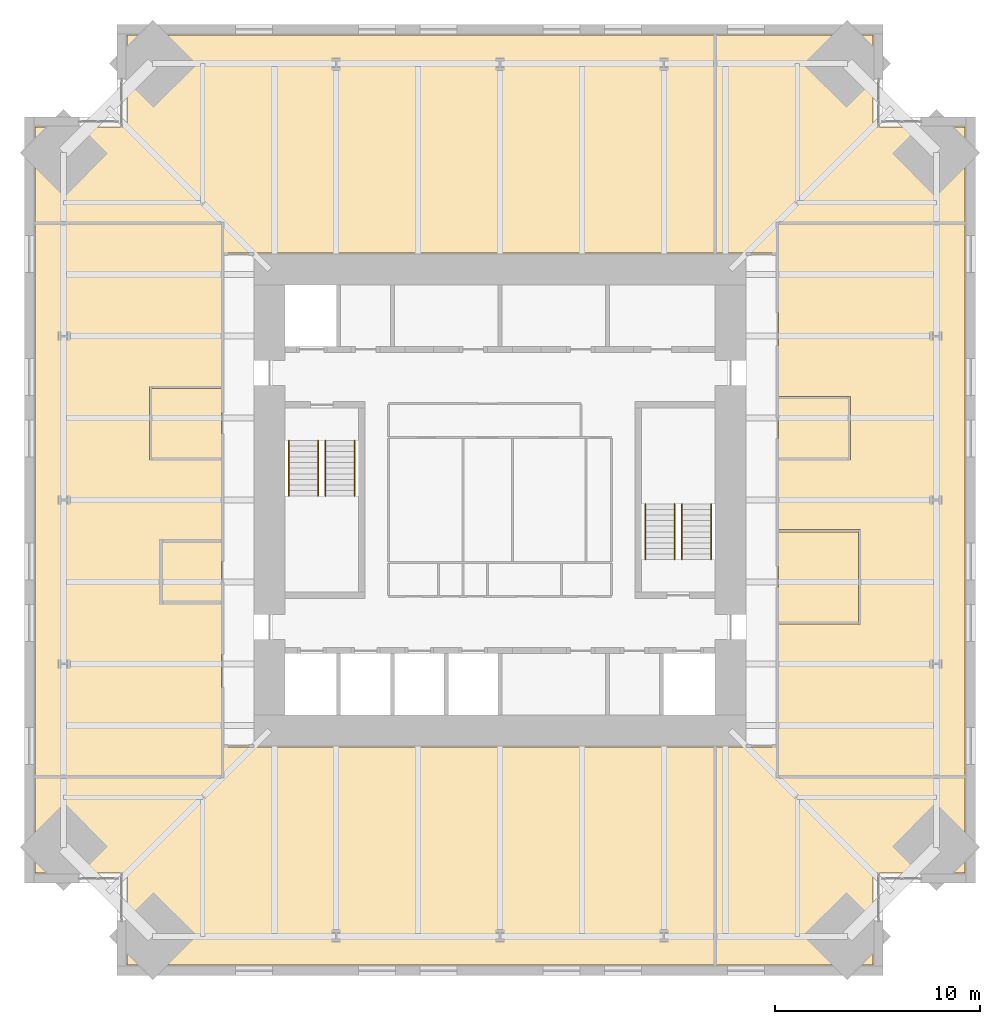
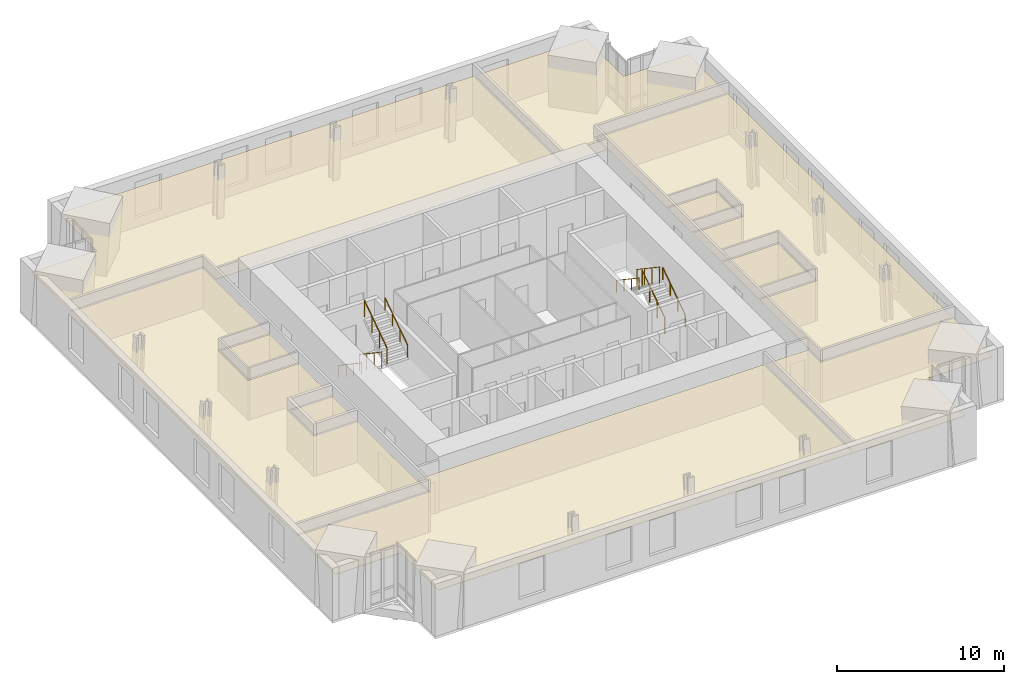
# One storey, part 15 of 15: 10 coverings, 8 railings.
"""IFC4 building model written with IfcOpenShell, lengths in metres."""

from ifc_helpers import new_model, si_unit, direction, frame, origin, origin_2d, place, context, subcontext, project, spatial, polyline, circle, outline, extrude, material, layer, layer_set, type_object, element, save


model = new_model("IFC4")

# Units and contexts
model_context = context("Model", 3, precision=1e-05, world=origin(), true_north=direction((0.0, 1.0)))
body_context = subcontext(model_context, "Body", "Model", "MODEL_VIEW")
ifc_project = project(units=[si_unit("LENGTHUNIT", "METRE"), si_unit("AREAUNIT", "SQUARE_METRE"), si_unit("VOLUMEUNIT", "CUBIC_METRE"), si_unit("PLANEANGLEUNIT", "RADIAN"), si_unit("MASSUNIT", "GRAM", prefix="KILO")], contexts=[model_context])

# Site, building, storey
site_placement = place(None, origin())
site = spatial("IfcSite", under=ifc_project, at=site_placement, CompositionType="ELEMENT")
building_placement = place(site_placement, origin())
building = spatial("IfcBuilding", under=site, at=building_placement, Name="Peilmerk Tower", CompositionType="ELEMENT")
storey_placement = place(building_placement, frame((0.0, 0.0, 237.800048828125)))
storey = spatial("IfcBuildingStorey", under=building, at=storey_placement, Name="L52", CompositionType="ELEMENT", Elevation=237.800048828125)

# Coverings
ifc_material_1 = material(Name="Mineral fibre ceiling tiles", Category="mineral")
ifc_layer = layer(ifc_material_1, 0.02490234375)
ifc_layer_set = layer_set([ifc_layer], Name="Mineral fibre ceiling tiles")
covering_type = type_object("IfcCoveringType", Name="CL1 25 suspended ceiling", PredefinedType="CEILING", material=ifc_layer_set)
covering_1_placement = place(storey_placement, frame((0.0, 0.0, 2.905029296875)))
element("IfcCovering", 1, at=covering_1_placement, inside=storey, type_object=covering_type, Name="Suspended ceiling Project room", PredefinedType="CEILING", context=body_context, shape_type="SweptSolid", body=[
    extrude(outline(polyline([(-22.699951171875, 18.199951171875), (-22.699951171875, 13.550048828125), (-13.5, 13.550048828125), (-13.5, 12.050048828125), (10.449951171875, 12.050048828125), (10.449951171875, 22.699951171875), (-18.199951171875, 22.699951171875), (-18.199951171875, 18.199951171875), (-22.699951171875, 18.199951171875)])), origin(), (0.0, 0.0, 1.0), 0.02490234375),
])
covering_2_placement = place(storey_placement, frame((0.0, 0.0, 2.905029296875)))
element("IfcCovering", 2, at=covering_2_placement, inside=storey, type_object=covering_type, Name="Suspended ceiling Open workspace", PredefinedType="CEILING", context=body_context, shape_type="SweptSolid", body=[
    extrude(outline(polyline([(18.199951171875, 22.699951171875), (10.550048828125, 22.699951171875), (10.550048828125, 12.050048828125), (13.5, 12.050048828125), (13.5, 13.550048828125), (22.699951171875, 13.550048828125), (22.699951171875, 18.199951171875), (18.199951171875, 18.199951171875), (18.199951171875, 22.699951171875)])), origin(), (0.0, 0.0, 1.0), 0.02490234375),
])
covering_3_placement = place(storey_placement, frame((0.0, 0.0, 2.905029296875)))
element("IfcCovering", 3, at=covering_3_placement, inside=storey, type_object=covering_type, Name="Suspended ceiling Open workspace", PredefinedType="CEILING", context=body_context, shape_type="SweptSolid", body=[
    extrude(outline(polyline([(-18.199951171875, -22.699951171875), (10.449951171875, -22.699951171875), (10.449951171875, -12.050048828125), (-13.5, -12.050048828125), (-13.5, -13.550048828125), (-22.699951171875, -13.550048828125), (-22.699951171875, -18.199951171875), (-18.199951171875, -18.199951171875), (-18.199951171875, -22.699951171875)])), origin(), (0.0, 0.0, 1.0), 0.02490234375),
])
covering_4_placement = place(storey_placement, frame((0.0, 0.0, 2.905029296875)))
element("IfcCovering", 4, at=covering_4_placement, inside=storey, type_object=covering_type, Name="Suspended ceiling Project room", PredefinedType="CEILING", context=body_context, shape_type="SweptSolid", body=[
    extrude(outline(polyline([(10.550048828125, -22.699951171875), (18.199951171875, -22.699951171875), (18.199951171875, -18.199951171875), (22.699951171875, -18.199951171875), (22.699951171875, -13.550048828125), (13.5, -13.550048828125), (13.5, -12.050048828125), (10.550048828125, -12.050048828125), (10.550048828125, -22.699951171875)])), origin(), (0.0, 0.0, 1.0), 0.02490234375),
])
covering_5_placement = place(storey_placement, frame((0.0, 0.0, 2.905029296875)))
element("IfcCovering", 5, at=covering_5_placement, inside=storey, type_object=covering_type, Name="Suspended ceiling Open workspace", PredefinedType="CEILING", context=body_context, shape_type="SweptSolid", body=[
    extrude(outline(polyline([(13.60009765625, -13.449951171875), (22.699951171875, -13.449951171875), (22.699951171875, 13.449951171875), (13.60009765625, 13.449951171875), (13.60009765625, 5.050048828125), (17.10009765625, 5.050048828125), (17.10009765625, 1.949951171875), (13.60009765625, 1.949951171875), (13.60009765625, -1.449951171875), (17.60009765625, -1.449951171875), (17.60009765625, -6.050048828125), (13.60009765625, -6.050048828125), (13.60009765625, -13.449951171875)])), origin(), (0.0, 0.0, 1.0), 0.02490234375),
])
covering_6_placement = place(storey_placement, frame((0.0, 0.0, 2.905029296875)))
element("IfcCovering", 6, at=covering_6_placement, inside=storey, type_object=covering_type, Name="Suspended ceiling Meeting room", PredefinedType="CEILING", context=body_context, shape_type="SweptSolid", body=[
    extrude(outline(polyline([(17.5, -5.949951171875), (17.5, -1.550048828125), (13.60009765625, -1.550048828125), (13.60009765625, -5.949951171875), (17.5, -5.949951171875)])), origin(), (0.0, 0.0, 1.0), 0.02490234375),
])
covering_7_placement = place(storey_placement, frame((0.0, 0.0, 2.905029296875)))
element("IfcCovering", 7, at=covering_7_placement, inside=storey, type_object=covering_type, Name="Suspended ceiling Focus room", PredefinedType="CEILING", context=body_context, shape_type="SweptSolid", body=[
    extrude(outline(polyline([(17.0, 2.050048828125), (17.0, 4.949951171875), (13.60009765625, 4.949951171875), (13.60009765625, 2.050048828125), (17.0, 2.050048828125)])), origin(), (0.0, 0.0, 1.0), 0.02490234375),
])
covering_8_placement = place(storey_placement, frame((0.0, 0.0, 2.905029296875)))
element("IfcCovering", 8, at=covering_8_placement, inside=storey, type_object=covering_type, Name="Suspended ceiling Open workspace", PredefinedType="CEILING", context=body_context, shape_type="SweptSolid", body=[
    extrude(outline(polyline([(-13.60009765625, 13.449951171875), (-22.699951171875, 13.449951171875), (-22.699951171875, -13.449951171875), (-13.60009765625, -13.449951171875), (-13.60009765625, -5.050048828125), (-16.60009765625, -5.050048828125), (-16.60009765625, -1.949951171875), (-13.60009765625, -1.949951171875), (-13.60009765625, 1.949951171875), (-17.10009765625, 1.949951171875), (-17.10009765625, 5.550048828125), (-13.60009765625, 5.550048828125), (-13.60009765625, 13.449951171875)])), origin(), (0.0, 0.0, 1.0), 0.02490234375),
])
covering_9_placement = place(storey_placement, frame((0.0, 0.0, 2.905029296875)))
element("IfcCovering", 9, at=covering_9_placement, inside=storey, type_object=covering_type, Name="Suspended ceiling Print room", PredefinedType="CEILING", context=body_context, shape_type="SweptSolid", body=[
    extrude(outline(polyline([(-13.60009765625, -4.949951171875), (-13.60009765625, -2.050048828125), (-16.5, -2.050048828125), (-16.5, -4.949951171875), (-13.60009765625, -4.949951171875)])), origin(), (0.0, 0.0, 1.0), 0.02490234375),
])
covering_10_placement = place(storey_placement, frame((0.0, 0.0, 2.905029296875)))
element("IfcCovering", 10, at=covering_10_placement, inside=storey, type_object=covering_type, Name="Suspended ceiling Pantry", PredefinedType="CEILING", context=body_context, shape_type="SweptSolid", body=[
    extrude(outline(polyline([(-13.60009765625, 2.050048828125), (-13.60009765625, 5.449951171875), (-17.0, 5.449951171875), (-17.0, 2.050048828125), (-13.60009765625, 2.050048828125)])), origin(), (0.0, 0.0, 1.0), 0.02490234375),
])

# Railings
ifc_material_2 = material(Name="Steel flat bar balustrade", Category="steel")
railing_type_1 = type_object("IfcRailingType", Name="GR1 1200 stair guard", PredefinedType="GUARDRAIL", material=ifc_material_2)
railing_1_placement = place(storey_placement, frame((-8.8798828125, 2.89990234375, 0.181884765625)))
element("IfcRailing", 11, at=railing_1_placement, inside=storey, type_object=railing_type_1, Name="Guard stair 1 L52", PredefinedType="GUARDRAIL", context=body_context, shape_type="SweptSolid", body=[
    extrude(circle(Radius=0.02392578125, at=origin_2d()), frame((0.0, 0.0, 1.17578125), z_axis=(0.0, -0.829468130872, 0.55855404382), x_axis=(1.0, 0.0, 0.0)), (0.0, 0.0, 1.0), 3.255126953125),
    extrude(circle(Radius=0.02099609375, at=origin_2d()), origin(), (0.0, 0.0, 1.0), 1.15185546875),
    extrude(circle(Radius=0.02099609375, at=origin_2d()), frame((0.0, -0.89990234375, 0.60595703125)), (0.0, 0.0, 1.0), 1.15185546875),
    extrude(circle(Radius=0.02099609375, at=origin_2d()), frame((0.0, -1.800048828125, 1.212158203125)), (0.0, 0.0, 1.0), 1.15185546875),
    extrude(circle(Radius=0.02099609375, at=origin_2d()), frame((0.0, -2.699951171875, 1.818115234375)), (0.0, 0.0, 1.0), 1.15185546875),
])
for number, where, name in (
    (12, (-8.52001953125, 0.199951171875, 2.181884765625), "Guard stair 1 L52"),
    (13, (8.8798828125, -2.89990234375, 0.181884765625), "Guard stair 2 L52"),
):
    element("IfcRailing", number, at=place(storey_placement, frame(where)), inside=storey, type_object=railing_type_1, Name=name, PredefinedType="GUARDRAIL", context=body_context, shape_type="SweptSolid", body=[
        extrude(circle(Radius=0.02392578125, at=origin_2d()), frame((0.0, 0.0, 1.17578125), z_axis=(0.0, 0.829468130872, 0.55855404382), x_axis=(-1.0, 0.0, 0.0)), (0.0, 0.0, 1.0), 3.255126953125),
        extrude(circle(Radius=0.02099609375, at=origin_2d()), origin(), (0.0, 0.0, 1.0), 1.15185546875),
        extrude(circle(Radius=0.02099609375, at=origin_2d()), frame((0.0, 0.89990234375, 0.60595703125)), (0.0, 0.0, 1.0), 1.15185546875),
        extrude(circle(Radius=0.02099609375, at=origin_2d()), frame((0.0, 1.800048828125, 1.212158203125)), (0.0, 0.0, 1.0), 1.15185546875),
        extrude(circle(Radius=0.02099609375, at=origin_2d()), frame((0.0, 2.699951171875, 1.818115234375)), (0.0, 0.0, 1.0), 1.15185546875),
    ])
railing_2_placement = place(storey_placement, frame((8.52001953125, -0.199951171875, 2.181884765625)))
element("IfcRailing", 14, at=railing_2_placement, inside=storey, type_object=railing_type_1, Name="Guard stair 2 L52", PredefinedType="GUARDRAIL", context=body_context, shape_type="SweptSolid", body=[
    extrude(circle(Radius=0.02392578125, at=origin_2d()), frame((0.0, 0.0, 1.17578125), z_axis=(0.0, -0.829468130872, 0.55855404382), x_axis=(1.0, 0.0, 0.0)), (0.0, 0.0, 1.0), 3.255126953125),
    extrude(circle(Radius=0.02099609375, at=origin_2d()), origin(), (0.0, 0.0, 1.0), 1.15185546875),
    extrude(circle(Radius=0.02099609375, at=origin_2d()), frame((0.0, -0.89990234375, 0.60595703125)), (0.0, 0.0, 1.0), 1.15185546875),
    extrude(circle(Radius=0.02099609375, at=origin_2d()), frame((0.0, -1.800048828125, 1.212158203125)), (0.0, 0.0, 1.0), 1.15185546875),
    extrude(circle(Radius=0.02099609375, at=origin_2d()), frame((0.0, -2.699951171875, 1.818115234375)), (0.0, 0.0, 1.0), 1.15185546875),
])
ifc_material_3 = material(Name="Stainless steel tube", Category="steel")
railing_type_2 = type_object("IfcRailingType", Name="HR1 900 stair handrail", PredefinedType="HANDRAIL", material=ifc_material_3)
railing_3_placement = place(storey_placement, frame((-10.300048828125, 2.89990234375, 0.181884765625)))
element("IfcRailing", 15, at=railing_3_placement, inside=storey, type_object=railing_type_2, Name="Handrail stair 1 L52", PredefinedType="HANDRAIL", context=body_context, shape_type="SweptSolid", body=[
    extrude(circle(Radius=0.02392578125, at=origin_2d()), frame((0.0, 0.0, 0.8759765625), z_axis=(0.0, -0.829468130872, 0.55855404382), x_axis=(1.0, 0.0, 0.0)), (0.0, 0.0, 1.0), 3.255126953125),
    extrude(circle(Radius=0.02099609375, at=origin_2d()), origin(), (0.0, 0.0, 1.0), 0.851806640625),
    extrude(circle(Radius=0.02099609375, at=origin_2d()), frame((0.0, -0.89990234375, 0.60595703125)), (0.0, 0.0, 1.0), 0.851806640625),
    extrude(circle(Radius=0.02099609375, at=origin_2d()), frame((0.0, -1.800048828125, 1.212158203125)), (0.0, 0.0, 1.0), 0.851806640625),
    extrude(circle(Radius=0.02099609375, at=origin_2d()), frame((0.0, -2.699951171875, 1.818115234375)), (0.0, 0.0, 1.0), 0.851806640625),
])
for number, where, name in (
    (16, (-7.10009765625, 0.199951171875, 2.181884765625), "Handrail stair 1 L52"),
    (17, (10.300048828125, -2.89990234375, 0.181884765625), "Handrail stair 2 L52"),
):
    element("IfcRailing", number, at=place(storey_placement, frame(where)), inside=storey, type_object=railing_type_2, Name=name, PredefinedType="HANDRAIL", context=body_context, shape_type="SweptSolid", body=[
        extrude(circle(Radius=0.02392578125, at=origin_2d()), frame((0.0, 0.0, 0.8759765625), z_axis=(0.0, 0.829468130872, 0.55855404382), x_axis=(-1.0, 0.0, 0.0)), (0.0, 0.0, 1.0), 3.255126953125),
        extrude(circle(Radius=0.02099609375, at=origin_2d()), origin(), (0.0, 0.0, 1.0), 0.851806640625),
        extrude(circle(Radius=0.02099609375, at=origin_2d()), frame((0.0, 0.89990234375, 0.60595703125)), (0.0, 0.0, 1.0), 0.851806640625),
        extrude(circle(Radius=0.02099609375, at=origin_2d()), frame((0.0, 1.800048828125, 1.212158203125)), (0.0, 0.0, 1.0), 0.851806640625),
        extrude(circle(Radius=0.02099609375, at=origin_2d()), frame((0.0, 2.699951171875, 1.818115234375)), (0.0, 0.0, 1.0), 0.851806640625),
    ])
railing_4_placement = place(storey_placement, frame((7.10009765625, -0.199951171875, 2.181884765625)))
element("IfcRailing", 18, at=railing_4_placement, inside=storey, type_object=railing_type_2, Name="Handrail stair 2 L52", PredefinedType="HANDRAIL", context=body_context, shape_type="SweptSolid", body=[
    extrude(circle(Radius=0.02392578125, at=origin_2d()), frame((0.0, 0.0, 0.8759765625), z_axis=(0.0, -0.829468130872, 0.55855404382), x_axis=(1.0, 0.0, 0.0)), (0.0, 0.0, 1.0), 3.255126953125),
    extrude(circle(Radius=0.02099609375, at=origin_2d()), origin(), (0.0, 0.0, 1.0), 0.851806640625),
    extrude(circle(Radius=0.02099609375, at=origin_2d()), frame((0.0, -0.89990234375, 0.60595703125)), (0.0, 0.0, 1.0), 0.851806640625),
    extrude(circle(Radius=0.02099609375, at=origin_2d()), frame((0.0, -1.800048828125, 1.212158203125)), (0.0, 0.0, 1.0), 0.851806640625),
    extrude(circle(Radius=0.02099609375, at=origin_2d()), frame((0.0, -2.699951171875, 1.818115234375)), (0.0, 0.0, 1.0), 0.851806640625),
])

save(model, "model.ifc")
